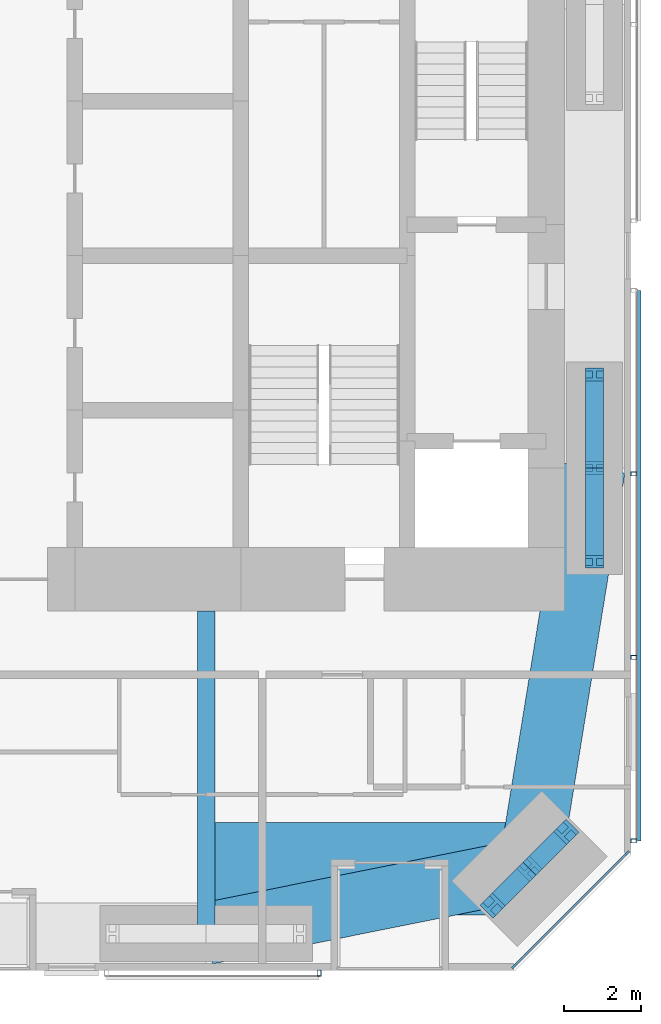
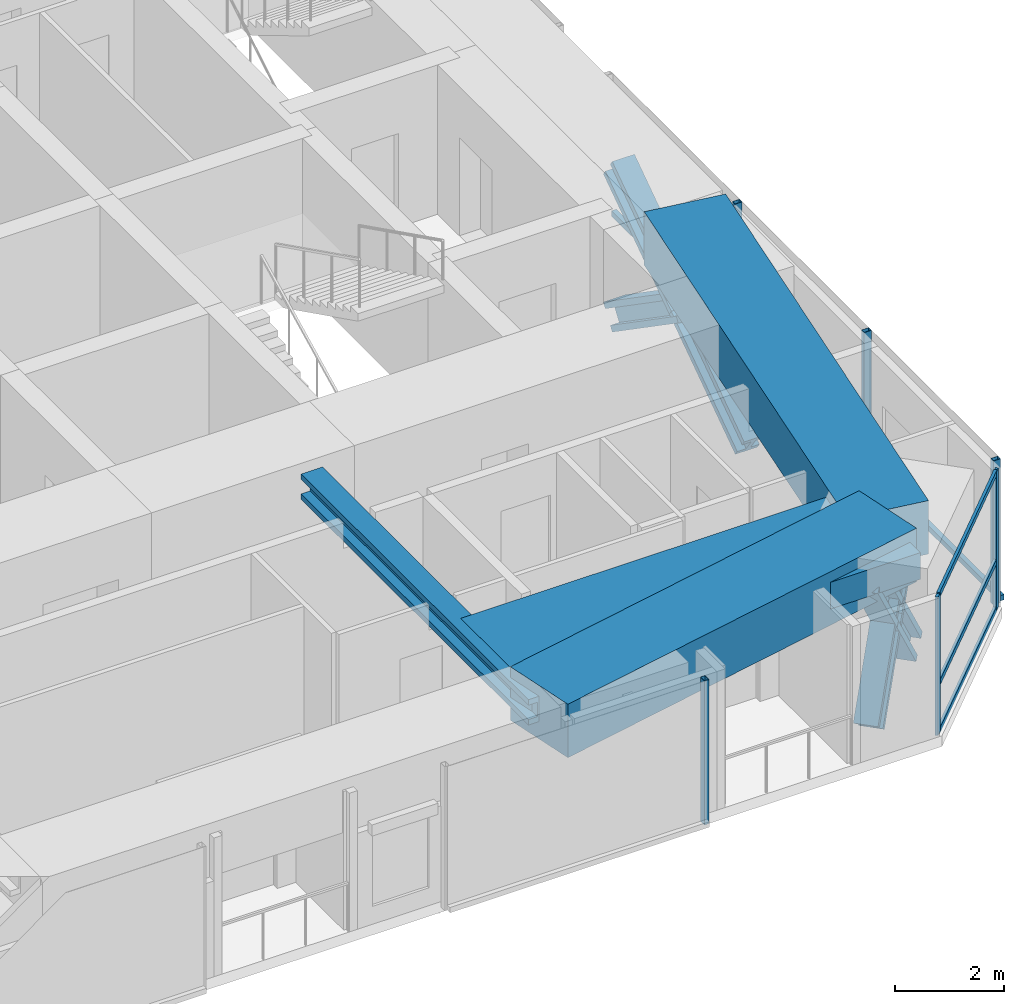
# One storey, part 9 of 24: 18 members, 4 beams, 3 elements without a shape of their own.
"""IFC4 building model written with IfcOpenShell, lengths in metres."""

from ifc_helpers import new_model, si_unit, direction, frame, origin, origin_2d, place, context, subcontext, project, spatial, rectangle, hollow_rectangle, i_section, extrude, material, material_profile, profile_set, type_object, element, aggregate, save


model = new_model("IFC4")

# Units and contexts
model_context = context("Model", 3, precision=1e-05, world=origin(), true_north=direction((0.0, 1.0)))
body_context = subcontext(model_context, "Body", "Model", "MODEL_VIEW")
ifc_project = project(units=[si_unit("LENGTHUNIT", "METRE"), si_unit("AREAUNIT", "SQUARE_METRE"), si_unit("VOLUMEUNIT", "CUBIC_METRE"), si_unit("PLANEANGLEUNIT", "RADIAN"), si_unit("MASSUNIT", "GRAM", prefix="KILO")], contexts=[model_context])

# Site, building, storey
site_placement = place(None, origin())
site = spatial("IfcSite", under=ifc_project, at=site_placement, CompositionType="ELEMENT")
building_placement = place(site_placement, origin())
building = spatial("IfcBuilding", under=site, at=building_placement, Name="Jalousie Tower", CompositionType="ELEMENT")
storey_placement = place(building_placement, frame((0.0, 0.0, 47.800048828125)))
storey = spatial("IfcBuildingStorey", under=building, at=storey_placement, Name="L12", CompositionType="ELEMENT", Elevation=47.800048828125)

# Curtain wall, members
ifc_material_1 = material(Name="Aluminium curtain wall", Category="aluminium")
curtain_wall_type_1 = type_object("IfcCurtainWallType", Name="CORNER WINDOW WALL", PredefinedType="USERDEFINED", material=ifc_material_1)
curtain_wall_1_placement = place(storey_placement, origin())
curtain_wall_1 = element("IfcCurtainWall", 1, at=curtain_wall_1_placement, inside=storey, type_object=curtain_wall_type_1, Name="Corner Window Wall L12 2", ObjectType="CORNER WINDOW WALL", PredefinedType="USERDEFINED")
ifc_material_2 = material(Name="Aluminium mullion", Category="aluminium")
ifc_material_profile_1 = material_profile(ifc_material_2, rectangle(XDim=0.06005859375, YDim=0.14990234375, at=origin_2d()), Name="MULLION 60x150")
ifc_profile_set_1 = profile_set([ifc_material_profile_1], Name="Aluminium mullion")
member_type_1 = type_object("IfcMemberType", Name="CORNER WINDOW WALL MULLION", PredefinedType="MULLION", material=ifc_profile_set_1)
member_1_placement = place(storey_placement, frame((42.969970703125, 0.108642578125, 0.0), z_axis=(0.0, 0.0, 1.0), x_axis=(-0.707106781187, 0.707106781187, 0.0)))
member_1 = element("IfcMember", 2, at=member_1_placement, type_object=member_type_1, Name="CW-C mullion 1", PredefinedType="MULLION", context=body_context, shape_type="SweptSolid", body=[
    extrude(rectangle(XDim=0.06005859375, YDim=0.14990234375, at=origin_2d()), origin(), (0.0, 0.0, 1.0), 3.10986328125),
])
member_2_placement = place(storey_placement, frame((45.891357421875, 3.030029296875, 0.0), z_axis=(0.0, 0.0, 1.0), x_axis=(-0.707106781187, 0.707106781187, 0.0)))
member_2 = element("IfcMember", 3, at=member_2_placement, type_object=member_type_1, Name="CW-C mullion 2", PredefinedType="MULLION", context=body_context, shape_type="SweptSolid", body=[
    extrude(rectangle(XDim=0.06005859375, YDim=0.14990234375, at=origin_2d()), origin(), (0.0, 0.0, 1.0), 3.10986328125),
])
ifc_material_3 = material(Name="Aluminium transom", Category="aluminium")
ifc_material_profile_2 = material_profile(ifc_material_3, rectangle(XDim=0.06005859375, YDim=0.1201171875, at=origin_2d()), Name="TRANSOM 60x120")
ifc_profile_set_2 = profile_set([ifc_material_profile_2], Name="Aluminium transom")
member_type_2 = type_object("IfcMemberType", Name="CORNER WINDOW WALL TRANSOM", PredefinedType="USERDEFINED", material=ifc_profile_set_2)
member_3_placement = place(storey_placement, frame((42.9912109375, 0.1298828125, 0.030029296875), z_axis=(0.707106781187, 0.707106781187, 0.0), x_axis=(-0.707106781187, 0.707106781187, 0.0)))
member_3 = element("IfcMember", 4, at=member_3_placement, type_object=member_type_2, Name="CW-C transom 1.1", ObjectType="TRANSOM", PredefinedType="USERDEFINED", context=body_context, shape_type="SweptSolid", body=[
    extrude(rectangle(XDim=0.06005859375, YDim=0.1201171875, at=origin_2d()), origin(), (0.0, 0.0, 1.0), 4.0712890625),
])
member_4_placement = place(storey_placement, frame((42.9912109375, 0.1298828125, 1.099853515625), z_axis=(0.707106781187, 0.707106781187, 0.0), x_axis=(-0.707106781187, 0.707106781187, 0.0)))
member_4 = element("IfcMember", 5, at=member_4_placement, type_object=member_type_2, Name="CW-C transom 1.2", ObjectType="TRANSOM", PredefinedType="USERDEFINED", context=body_context, shape_type="SweptSolid", body=[
    extrude(rectangle(XDim=0.06005859375, YDim=0.1201171875, at=origin_2d()), origin(), (0.0, 0.0, 1.0), 4.0712890625),
])
member_5_placement = place(storey_placement, frame((42.9912109375, 0.1298828125, 3.079833984375), z_axis=(0.707106781187, 0.707106781187, 0.0), x_axis=(-0.707106781187, 0.707106781187, 0.0)))
member_5 = element("IfcMember", 6, at=member_5_placement, type_object=member_type_2, Name="CW-C transom 1.3", ObjectType="TRANSOM", PredefinedType="USERDEFINED", context=body_context, shape_type="SweptSolid", body=[
    extrude(rectangle(XDim=0.06005859375, YDim=0.1201171875, at=origin_2d()), origin(), (0.0, 0.0, 1.0), 4.0712890625),
])
aggregate(curtain_wall_1, [member_1, member_2, member_3, member_4, member_5])

# Beam
ifc_material_4 = material(Name="Steel ASTM A992 Grade 50", Category="steel")
ifc_material_profile_3 = material_profile(ifc_material_4, i_section(OverallWidth=0.45458984375, OverallDepth=0.569091796875, WebThickness=0.077880859375, FlangeThickness=0.124755859375, at=origin_2d()), Name="W14X730")
ifc_profile_set_3 = profile_set([ifc_material_profile_3], Name="Steel ASTM A992 Grade 50")
beam_type_1 = type_object("IfcBeamType", Name="LEAN COLLECTOR W14X730", PredefinedType="BEAM", material=ifc_profile_set_3)
beam_1_placement = place(storey_placement, frame((35.0, 0.949951171875, 2.825439453125), z_axis=(0.0, 1.0, 0.0), x_axis=(-1.0, 0.0, 0.0)))
element("IfcBeam", 7, at=beam_1_placement, inside=storey, type_object=beam_type_1, Name="Lean collector under L13", PredefinedType="BEAM", context=body_context, shape_type="SweptSolid", body=[
    extrude(i_section(OverallWidth=0.45458984375, OverallDepth=0.569091796875, WebThickness=0.077880859375, FlangeThickness=0.124755859375, at=origin_2d()), origin(), (0.0, 0.0, 1.0), 8.35009765625),
])

# Members
ifc_material_5 = material(Name="Steel ASTM A992 Grade 50", Category="steel")
ifc_material_profile_4 = material_profile(ifc_material_5, i_section(OverallWidth=0.472412109375, OverallDepth=0.5791015625, WebThickness=0.094970703125, FlangeThickness=0.1298828125, at=origin_2d()), Name="W14X808")
ifc_profile_set_4 = profile_set([ifc_material_profile_4], Name="Steel ASTM A992 Grade 50")
member_type_3 = type_object("IfcMemberType", Name="PERIMETER BRACE W14X808", PredefinedType="BRACE", material=ifc_profile_set_4)
for number, where, z_axis, x_axis, name in (
    (8, (42.4140625, 1.6767578125, -0.60009765625), (0.443718327034, 0.443718327034, 0.778606506849), (-0.707106781187, 0.707106781187, 0.0), "Perimeter brace 05 L12 part 1"),
    (9, (43.36865234375, 2.63134765625, 1.074951171875), (0.443718327034, 0.443718327034, 0.778606506849), (-0.707106781187, 0.707106781187, 0.0), "Perimeter brace 05 L12 part 2"),
    (10, (44.3232421875, 3.5859375, -0.60009765625), (-0.443718327034, -0.443718327034, 0.778606506849), (0.707106781187, -0.707106781187, 0.0), "Perimeter brace 05 L12 part 3"),
    (11, (43.36865234375, 2.63134765625, 1.074951171875), (-0.443718327034, -0.443718327034, 0.778606506849), (0.707106781187, -0.707106781187, 0.0), "Perimeter brace 05 L12 part 4"),
):
    element("IfcMember", number, at=place(storey_placement, frame(where, z_axis=z_axis, x_axis=x_axis)), inside=storey, type_object=member_type_3, Name=name, PredefinedType="BRACE", context=body_context, shape_type="SweptSolid", body=[
        extrude(i_section(OverallWidth=0.472412109375, OverallDepth=0.5791015625, WebThickness=0.094970703125, FlangeThickness=0.1298828125, at=origin_2d()), origin(), (0.0, 0.0, 1.0), 2.1513671875),
    ])
for number, where, z_axis, x_axis, name in (
    (12, (45.050048828125, 10.574951171875, -0.60009765625), (0.0, 0.822800062329, 0.568330940062), (-1.0, 0.0, 0.0), "Perimeter brace 06 L12 part 1"),
    (13, (45.050048828125, 13.0, 1.074951171875), (0.0, 0.822800062329, 0.568330940062), (-1.0, 0.0, 0.0), "Perimeter brace 06 L12 part 2"),
    (14, (45.050048828125, 15.425048828125, -0.60009765625), (0.0, -0.822800062329, 0.568330940062), (1.0, 0.0, 0.0), "Perimeter brace 06 L12 part 3"),
    (15, (45.050048828125, 13.0, 1.074951171875), (0.0, -0.822800062329, 0.568330940062), (1.0, 0.0, 0.0), "Perimeter brace 06 L12 part 4"),
):
    element("IfcMember", number, at=place(storey_placement, frame(where, z_axis=z_axis, x_axis=x_axis)), inside=storey, type_object=member_type_3, Name=name, PredefinedType="BRACE", context=body_context, shape_type="SweptSolid", body=[
        extrude(i_section(OverallWidth=0.472412109375, OverallDepth=0.5791015625, WebThickness=0.094970703125, FlangeThickness=0.1298828125, at=origin_2d()), origin(), (0.0, 0.0, 1.0), 2.947265625),
    ])

# Beams
ifc_material_6 = material(Name="Concrete f'c 40 MPa", Category="concrete")
ifc_material_profile_5 = material_profile(ifc_material_6, rectangle(XDim=1.60009765625, YDim=1.199951171875, at=origin_2d()), Name="RC 1600x1200")
ifc_profile_set_5 = profile_set([ifc_material_profile_5], Name="Concrete f'c 40 MPa")
beam_type_2 = type_object("IfcBeamType", Name="RC BEAM 1600x1200", PredefinedType="BEAM", material=ifc_profile_set_5)
beam_2_placement = place(storey_placement, frame((35.0, 0.949951171875, 2.75), z_axis=(0.980407585444, 0.196979609107, 0.0), x_axis=(-0.196979609107, 0.980407585444, 0.0)))
element("IfcBeam", 16, at=beam_2_placement, inside=storey, type_object=beam_type_2, Name="Edge band beam 04-05 under L13", PredefinedType="BEAM", context=body_context, shape_type="SweptSolid", body=[
    extrude(rectangle(XDim=1.60009765625, YDim=1.199951171875, at=origin_2d()), origin(), (0.0, 0.0, 1.0), 8.535888671875),
])
beam_3_placement = place(storey_placement, frame((43.36865234375, 2.63134765625, 2.75), z_axis=(0.160070546476, 0.987105577003, 0.0), x_axis=(-0.987105577003, 0.160070546476, 0.0)))
element("IfcBeam", 17, at=beam_3_placement, inside=storey, type_object=beam_type_2, Name="Edge band beam 05-06 under L13", PredefinedType="BEAM", context=body_context, shape_type="SweptSolid", body=[
    extrude(rectangle(XDim=1.60009765625, YDim=1.199951171875, at=origin_2d()), origin(), (0.0, 0.0, 1.0), 10.504150390625),
])
ifc_material_7 = material(Name="Concrete f'c 40 MPa", Category="concrete")
ifc_material_profile_6 = material_profile(ifc_material_7, rectangle(XDim=2.39990234375, YDim=0.60009765625, at=origin_2d()), Name="RC 2400x600")
ifc_profile_set_6 = profile_set([ifc_material_profile_6], Name="Concrete f'c 40 MPa")
beam_type_3 = type_object("IfcBeamType", Name="RC BEAM 2400x600", PredefinedType="BEAM", material=ifc_profile_set_6)
beam_4_placement = place(storey_placement, frame((43.36865234375, 2.63134765625, 2.81005859375), z_axis=(-1.0, 0.0, 0.0), x_axis=(0.0, -1.0, 0.0)))
element("IfcBeam", 18, at=beam_4_placement, inside=storey, type_object=beam_type_3, Name="Floor band beam under L13", PredefinedType="BEAM", context=body_context, shape_type="SweptSolid", body=[
    extrude(rectangle(XDim=2.39990234375, YDim=0.60009765625, at=origin_2d()), origin(), (0.0, 0.0, 1.0), 8.36865234375),
])

# Curtain wall, member
ifc_material_8 = material(Name="Perforated aluminium sheet", Category="aluminium")
curtain_wall_type_2 = type_object("IfcCurtainWallType", Name="SOLAR SCREEN SS-1", PredefinedType="USERDEFINED", material=ifc_material_8)
curtain_wall_2_placement = place(storey_placement, origin())
curtain_wall_2 = element("IfcCurtainWall", 19, at=curtain_wall_2_placement, inside=storey, type_object=curtain_wall_type_2, Name="Solar screen L12", ObjectType="SOLAR SCREEN SS-1", PredefinedType="USERDEFINED")
ifc_material_9 = material(Name="Steel ASTM A500 Grade C", Category="steel")
ifc_material_profile_7 = material_profile(ifc_material_9, hollow_rectangle(XDim=0.1015625, YDim=0.15234375, WallThickness=0.00634765625, at=origin_2d()), Name="HSS6X4X1/4")
ifc_profile_set_7 = profile_set([ifc_material_profile_7], Name="Steel ASTM A500 Grade C")
member_type_4 = type_object("IfcMemberType", Name="SOLAR SCREEN SS-1 MULLION", PredefinedType="MULLION", material=ifc_profile_set_7)
member_6_placement = place(storey_placement, frame((37.925048828125, -0.0712890625, -0.1201171875), z_axis=(0.0, 0.0, 1.0), x_axis=(1.0, 0.0, 0.0)))
member_6 = element("IfcMember", 20, at=member_6_placement, type_object=member_type_4, Name="SS1 post 2", PredefinedType="MULLION", context=body_context, shape_type="SweptSolid", body=[
    extrude(hollow_rectangle(XDim=0.1015625, YDim=0.15234375, WallThickness=0.00634765625, at=origin_2d()), origin(), (0.0, 0.0, 1.0), 3.22998046875),
])
aggregate(curtain_wall_2, [member_6])

# Curtain wall, members
curtain_wall_3_placement = place(storey_placement, origin())
curtain_wall_3 = element("IfcCurtainWall", 21, at=curtain_wall_3_placement, inside=storey, type_object=curtain_wall_type_2, Name="Solar screen L12", ObjectType="SOLAR SCREEN SS-1", PredefinedType="USERDEFINED")
member_7_placement = place(storey_placement, frame((46.0712890625, 3.351318359375, -0.1201171875), z_axis=(0.0, 0.0, 1.0), x_axis=(0.0, 1.0, 0.0)))
member_7 = element("IfcMember", 22, at=member_7_placement, type_object=member_type_4, Name="SS1 post 1", PredefinedType="MULLION", context=body_context, shape_type="SweptSolid", body=[
    extrude(hollow_rectangle(XDim=0.1015625, YDim=0.15234375, WallThickness=0.00634765625, at=origin_2d()), origin(), (0.0, 0.0, 1.0), 3.22998046875),
])
member_8_placement = place(storey_placement, frame((46.0712890625, 8.100830078125, -0.1201171875), z_axis=(0.0, 0.0, 1.0), x_axis=(0.0, 1.0, 0.0)))
member_8 = element("IfcMember", 23, at=member_8_placement, type_object=member_type_4, Name="SS1 post 2", PredefinedType="MULLION", context=body_context, shape_type="SweptSolid", body=[
    extrude(hollow_rectangle(XDim=0.1015625, YDim=0.15234375, WallThickness=0.00634765625, at=origin_2d()), origin(), (0.0, 0.0, 1.0), 3.22998046875),
])
member_9_placement = place(storey_placement, frame((46.0712890625, 12.850341796875, -0.1201171875), z_axis=(0.0, 0.0, 1.0), x_axis=(0.0, 1.0, 0.0)))
member_9 = element("IfcMember", 24, at=member_9_placement, type_object=member_type_4, Name="SS1 post 3", PredefinedType="MULLION", context=body_context, shape_type="SweptSolid", body=[
    extrude(hollow_rectangle(XDim=0.1015625, YDim=0.15234375, WallThickness=0.00634765625, at=origin_2d()), origin(), (0.0, 0.0, 1.0), 3.22998046875),
])
ifc_material_10 = material(Name="Extruded aluminium screen rail", Category="aluminium")
ifc_material_profile_8 = material_profile(ifc_material_10, rectangle(XDim=0.1015625, YDim=0.1201171875, at=origin_2d()), Name="RAIL 102x120")
ifc_profile_set_8 = profile_set([ifc_material_profile_8], Name="Extruded aluminium screen rail")
member_type_5 = type_object("IfcMemberType", Name="SOLAR SCREEN SS-1 TRANSOM", PredefinedType="USERDEFINED", material=ifc_profile_set_8)
member_10_placement = place(storey_placement, frame((46.1982421875, 3.351318359375, -0.06005859375), z_axis=(0.0, 1.0, 0.0), x_axis=(-1.0, 0.0, 0.0)))
member_10 = element("IfcMember", 25, at=member_10_placement, type_object=member_type_5, Name="SS1 rail", ObjectType="TRANSOM", PredefinedType="USERDEFINED", context=body_context, shape_type="SweptSolid", body=[
    extrude(rectangle(XDim=0.1015625, YDim=0.1201171875, at=origin_2d()), origin(), (0.0, 0.0, 1.0), 14.248779296875),
])
aggregate(curtain_wall_3, [member_7, member_8, member_9, member_10])

save(model, "model.ifc")
